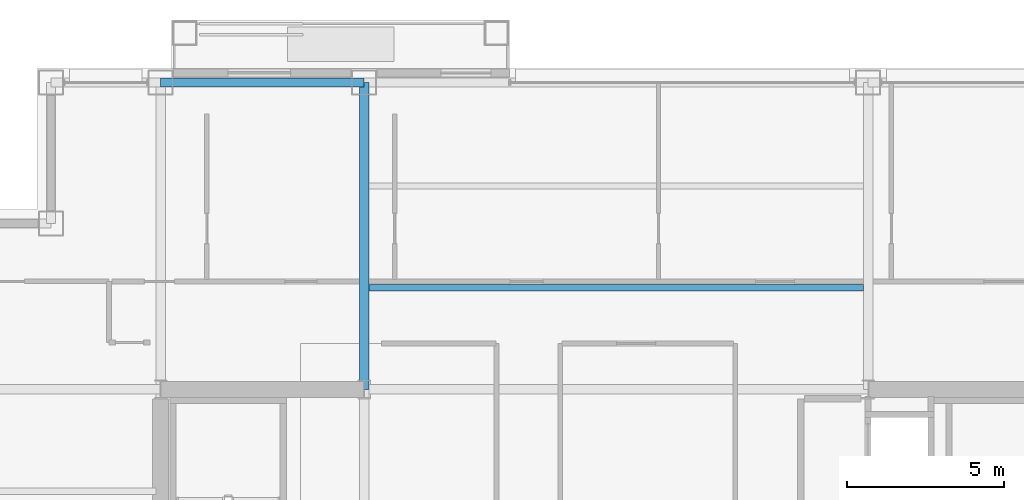
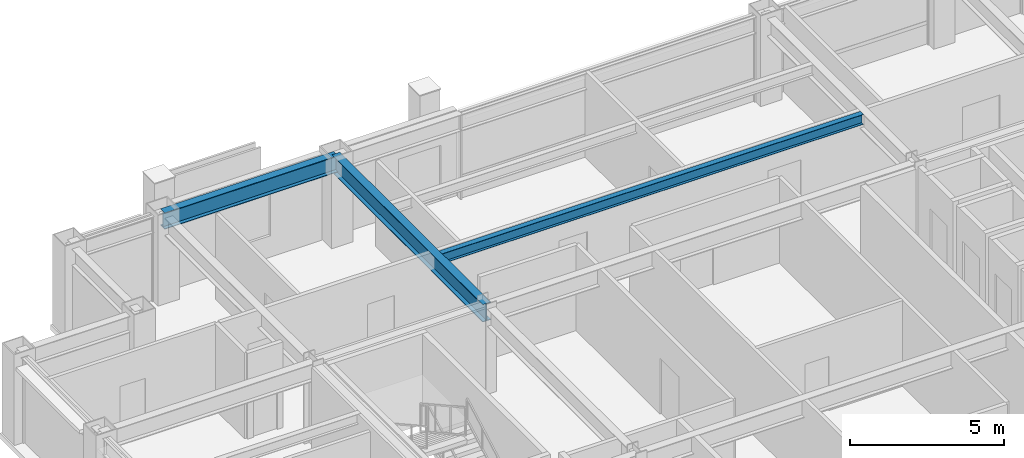
# One storey, part 18 of 29: 3 beams.
"""IFC4 building model written with IfcOpenShell, lengths in metres."""

from ifc_helpers import new_model, si_unit, direction, frame, origin, origin_2d, place, context, subcontext, project, spatial, i_section, extrude, material, material_profile, profile_set, type_object, element, save


model = new_model("IFC4")

# Units and contexts
model_context = context("Model", 3, precision=1e-05, world=origin(), true_north=direction((0.0, 1.0)))
body_context = subcontext(model_context, "Body", "Model", "MODEL_VIEW")
ifc_project = project(units=[si_unit("LENGTHUNIT", "METRE"), si_unit("AREAUNIT", "SQUARE_METRE"), si_unit("VOLUMEUNIT", "CUBIC_METRE"), si_unit("PLANEANGLEUNIT", "RADIAN"), si_unit("MASSUNIT", "GRAM", prefix="KILO")], contexts=[model_context])

# Site, building, storey
site_placement = place(None, origin())
site = spatial("IfcSite", under=ifc_project, at=site_placement, CompositionType="ELEMENT")
building_placement = place(site_placement, origin())
building = spatial("IfcBuilding", under=site, at=building_placement, Name="Brelmoor Portico Tower", CompositionType="ELEMENT")
storey_placement = place(building_placement, frame((0.0, 0.0, 135.0)))
storey = spatial("IfcBuildingStorey", under=building, at=storey_placement, Name="L35", CompositionType="ELEMENT", Elevation=135.0)

# Beams
ifc_material = material(Name="Steel Q355B", Category="steel")
ifc_material_profile_1 = material_profile(ifc_material, i_section(OverallWidth=0.199951171875, OverallDepth=0.39990234375, WebThickness=0.008056640625, FlangeThickness=0.012939453125, at=origin_2d()), Name="HN 400x200x8x13")
ifc_profile_set_1 = profile_set([ifc_material_profile_1], Name="Steel Q355B")
beam_type_1 = type_object("IfcBeamType", Name="BM-JS-400", PredefinedType="JOIST", material=ifc_profile_set_1)
beam_1_placement = place(storey_placement, frame((-7.89990234375, 13.0, 3.199951171875), z_axis=(1.0, 0.0, 0.0), x_axis=(0.0, 1.0, 0.0)))
element("IfcBeam", 1, at=beam_1_placement, inside=storey, type_object=beam_type_1, Name="L35 Secondary Composite Joist JS-C03", PredefinedType="JOIST", context=body_context, shape_type="SweptSolid", body=[
    extrude(i_section(OverallWidth=0.199951171875, OverallDepth=0.39990234375, WebThickness=0.008056640625, FlangeThickness=0.012939453125, at=origin_2d()), origin(), (0.0, 0.0, 1.0), 15.7998046875),
])
ifc_material_profile_2 = material_profile(ifc_material, i_section(OverallWidth=0.300048828125, OverallDepth=0.699951171875, WebThickness=0.012939453125, FlangeThickness=0.02392578125, at=origin_2d()), Name="HN 700x300x13x24")
ifc_profile_set_2 = profile_set([ifc_material_profile_2], Name="Steel Q355B")
beam_type_2 = type_object("IfcBeamType", Name="BM-PG-700", PredefinedType="BEAM", material=ifc_profile_set_2)
beam_2_placement = place(storey_placement, frame((-8.050048828125, 9.75, 3.050048828125), z_axis=(0.0, 1.0, 0.0), x_axis=(-1.0, 0.0, 0.0)))
element("IfcBeam", 2, at=beam_2_placement, inside=storey, type_object=beam_type_2, Name="L35 Primary Floor Girder PG-07", PredefinedType="BEAM", context=body_context, shape_type="SweptSolid", body=[
    extrude(i_section(OverallWidth=0.300048828125, OverallDepth=0.699951171875, WebThickness=0.012939453125, FlangeThickness=0.02392578125, at=origin_2d()), origin(), (0.0, 0.0, 1.0), 9.800048828125),
])
ifc_material_profile_3 = material_profile(ifc_material, i_section(OverallWidth=0.280029296875, OverallDepth=0.64990234375, WebThickness=0.012939453125, FlangeThickness=0.02197265625, at=origin_2d()), Name="HN 650x280x13x22")
ifc_profile_set_3 = profile_set([ifc_material_profile_3], Name="Steel Q355B")
beam_type_3 = type_object("IfcBeamType", Name="BM-SP-650", PredefinedType="SPANDREL", material=ifc_profile_set_3)
beam_3_placement = place(storey_placement, frame((-14.550048828125, 19.550048828125, 3.074951171875), z_axis=(1.0, 0.0, 0.0), x_axis=(0.0, 1.0, 0.0)))
element("IfcBeam", 3, at=beam_3_placement, inside=storey, type_object=beam_type_3, Name="L35 Perimeter Spandrel Beam SP-11", PredefinedType="SPANDREL", context=body_context, shape_type="SweptSolid", body=[
    extrude(i_section(OverallWidth=0.280029296875, OverallDepth=0.64990234375, WebThickness=0.012939453125, FlangeThickness=0.02197265625, at=origin_2d()), origin(), (0.0, 0.0, 1.0), 6.5),
])

save(model, "model.ifc")
